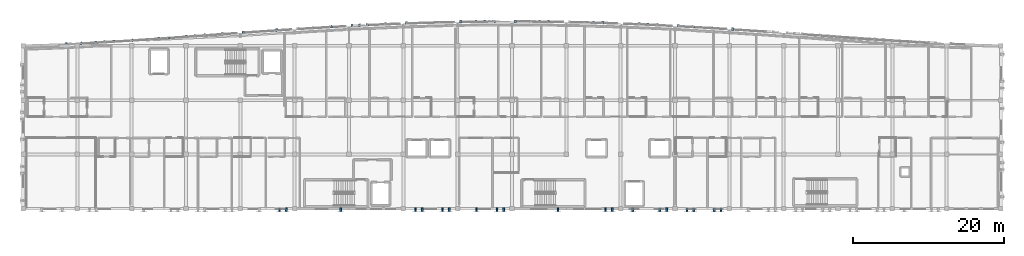
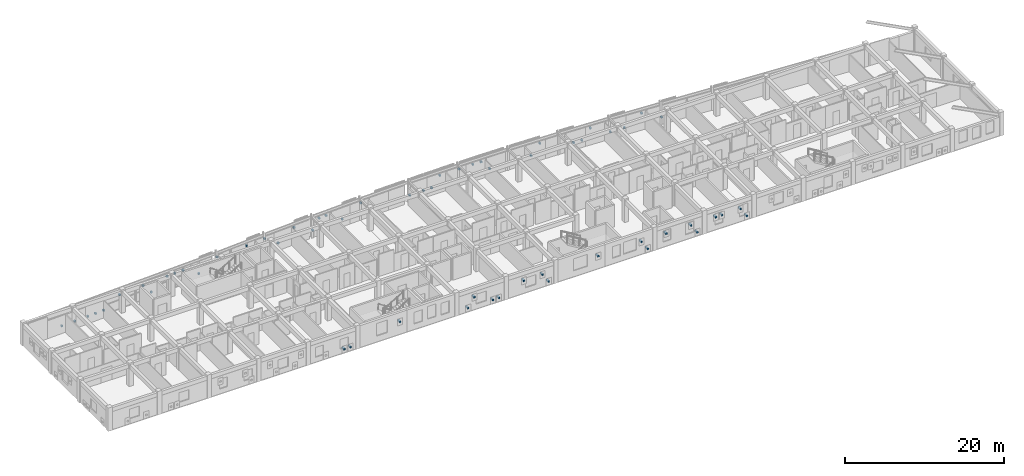
# One storey, part 48 of 51: 59 discrete accessories.
"""IFC4 building model written with IfcOpenShell, lengths in metres."""

from ifc_helpers import new_model, si_unit, direction, frame, origin, origin_2d, place, context, subcontext, project, spatial, rectangle, extrude, material, type_object, element, save


model = new_model("IFC4")

# Units and contexts
model_context = context("Model", 3, precision=1e-05, world=origin(), true_north=direction((0.0, 1.0)))
body_context = subcontext(model_context, "Body", "Model", "MODEL_VIEW")
ifc_project = project(units=[si_unit("LENGTHUNIT", "METRE"), si_unit("AREAUNIT", "SQUARE_METRE"), si_unit("VOLUMEUNIT", "CUBIC_METRE"), si_unit("PLANEANGLEUNIT", "RADIAN"), si_unit("MASSUNIT", "GRAM", prefix="KILO")], contexts=[model_context])

# Site, building, storey
site_placement = place(None, origin())
site = spatial("IfcSite", under=ifc_project, at=site_placement, CompositionType="ELEMENT")
building_placement = place(site_placement, origin())
building = spatial("IfcBuilding", under=site, at=building_placement, Name="Carrowvane Square Congress Hotel", CompositionType="ELEMENT")
storey_placement = place(building_placement, frame((0.0, 0.0, 30.0)))
storey = spatial("IfcBuildingStorey", under=building, at=storey_placement, Name="L07", CompositionType="ELEMENT", Elevation=30.0)

# Discrete accessories
ifc_material = material(Name="Stainless steel 316", Category="steel")
discrete_accessory_type = type_object("IfcDiscreteAccessoryType", Name="ACC-BRK-SS", PredefinedType="BRACKET", material=ifc_material)
for number, where, z_axis, x_axis, name in (
    (1, (38.951904296875, 113.665283203125, 0.56005859375), (0.0, 0.0, 1.0), (0.99891730083, 0.046521243556, 0.0), "Pixel screen mullion bracket 640"),
    (2, (40.888916015625, 113.759033203125, 0.56005859375), (0.0, 0.0, 1.0), (0.998566941363, 0.053516947007, 0.0), "Pixel screen mullion bracket 641"),
    (3, (42.830322265625, 113.86328125, 0.56005859375), (0.0, 0.0, 1.0), (0.998258866948, 0.05898503675, 0.0), "Pixel screen mullion bracket 642"),
    (4, (43.995361328125, 113.93212890625, 0.56005859375), (0.0, 0.0, 1.0), (0.998258866948, 0.05898503675, 0.0), "Pixel screen mullion bracket 643"),
    (5, (45.224853515625, 114.0048828125, 0.56005859375), (0.0, 0.0, 1.0), (0.997996022269, 0.063276690295, 0.0), "Pixel screen mullion bracket 644"),
    (6, (47.629638671875, 114.157470703125, 2.02978515625), (0.0, 0.0, 1.0), (0.997781458784, 0.066574473385, 0.0), "Pixel screen mullion bracket 645"),
    (7, (51.194580078125, 114.398193359375, 2.02978515625), (0.0, 0.0, 1.0), (0.99761759323, 0.068986503591, 0.0), "Pixel screen mullion bracket 646"),
    (8, (52.42919921875, 114.483642578125, 0.56005859375), (0.0, 0.0, 1.0), (0.997505756275, 0.070585169822, 0.0), "Pixel screen mullion bracket 647"),
    (9, (54.82421875, 114.6533203125, 2.02978515625), (0.0, 0.0, 1.0), (0.997446326449, 0.071420066188, 0.0), "Pixel screen mullion bracket 648"),
    (10, (55.994384765625, 114.737060546875, 2.02978515625), (0.0, 0.0, 1.0), (0.997446326449, 0.071420066188, 0.0), "Pixel screen mullion bracket 649"),
    (11, (57.229248046875, 114.825439453125, 2.02978515625), (0.0, 0.0, 1.0), (0.997438267187, 0.071532532122, 0.0), "Pixel screen mullion bracket 650"),
    (12, (59.624267578125, 114.9970703125, 0.56005859375), (0.0, 0.0, 1.0), (0.997479379392, 0.070956942496, 0.0), "Pixel screen mullion bracket 651"),
    (13, (62.386474609375, 115.193115234375, 2.02978515625), (0.0, 0.0, 1.0), (0.997566258056, 0.069724893606, 0.0), "Pixel screen mullion bracket 652"),
    (14, (66.82958984375, 115.4990234375, 2.02978515625), (0.0, 0.0, 1.0), (0.99785825325, 0.065413350476, 0.0), "Pixel screen mullion bracket 653"),
    (15, (69.5849609375, 115.678466796875, 2.02978515625), (0.0, 0.0, 1.0), (0.998051413269, 0.062396926785, 0.0), "Pixel screen mullion bracket 654"),
    (16, (71.630126953125, 115.80615234375, 0.56005859375), (0.0, 0.0, 1.0), (0.998266695506, 0.05885239709, 0.0), "Pixel screen mullion bracket 655"),
    (17, (74.025634765625, 115.947265625, 2.02978515625), (0.0, 0.0, 1.0), (0.998496552462, 0.054814548441, 0.0), "Pixel screen mullion bracket 656"),
    (18, (76.79541015625, 116.09765625, 0.56005859375), (0.0, 0.0, 1.0), (0.998733066647, 0.050321581706, 0.0), "Pixel screen mullion bracket 657"),
    (19, (77.7783203125, 116.147216796875, 2.02978515625), (0.0, 0.0, 1.0), (0.998733066647, 0.050321581706, 0.0), "Pixel screen mullion bracket 658"),
    (20, (78.826416015625, 116.19970703125, 2.02978515625), (0.0, 0.0, 1.0), (0.998968255262, 0.045413929349, 0.0), "Pixel screen mullion bracket 659"),
    (21, (81.231689453125, 116.308837890625, 0.56005859375), (0.0, 0.0, 1.0), (0.999194294234, 0.040134304148, 0.0), "Pixel screen mullion bracket 660"),
    (22, (83.997802734375, 116.417724609375, 2.02978515625), (0.0, 0.0, 1.0), (0.999403768784, 0.034526901703, 0.0), "Pixel screen mullion bracket 661"),
    (23, (91.211181640625, 116.616455078125, 0.56005859375), (0.0, 0.0, 1.0), (0.999868508772, 0.016216200758, 0.0), "Pixel screen mullion bracket 662"),
    (24, (93.229248046875, 116.64892578125, 0.56005859375), (0.0, 0.0, 1.0), (0.999952150705, 0.009782448565, 0.0), "Pixel screen mullion bracket 663"),
    (25, (94.399169921875, 116.660400390625, 0.56005859375), (0.0, 0.0, 1.0), (0.999952150705, 0.009782448565, 0.0), "Pixel screen mullion bracket 664"),
    (26, (95.634765625, 116.67236328125, 2.02978515625), (0.0, 0.0, 1.0), (0.999994654955, 0.003269565853, 0.0), "Pixel screen mullion bracket 665"),
    (27, (98.4150390625, 116.6787109375, 2.02978515625), (0.0, 0.0, 1.0), (0.999994654955, -0.003269565853, 0.0), "Pixel screen mullion bracket 666"),
    (28, (100.435791015625, 116.671875, 2.02978515625), (0.0, 0.0, 1.0), (0.999952150705, -0.009782448565, 0.0), "Pixel screen mullion bracket 667"),
    (29, (101.600830078125, 116.660400390625, 2.02978515625), (0.0, 0.0, 1.0), (0.999952150705, -0.009782448565, 0.0), "Pixel screen mullion bracket 668"),
    (30, (102.831298828125, 116.648193359375, 0.56005859375), (0.0, 0.0, 1.0), (0.999868508772, -0.016216200758, 0.0), "Pixel screen mullion bracket 669"),
    (31, (108.80224609375, 116.521240234375, 0.56005859375), (0.0, 0.0, 1.0), (0.999589805464, -0.028639497417, 0.0), "Pixel screen mullion bracket 670"),
    (32, (110.037841796875, 116.485595703125, 2.02978515625), (0.0, 0.0, 1.0), (0.999403768784, -0.034526901703, 0.0), "Pixel screen mullion bracket 671"),
    (33, (114.838623046875, 116.305908203125, 0.56005859375), (0.0, 0.0, 1.0), (0.998968255262, -0.045413929349, 0.0), "Pixel screen mullion bracket 672"),
    (34, (116.003662109375, 116.2529296875, 0.56005859375), (0.0, 0.0, 1.0), (0.998968255262, -0.045413929349, 0.0), "Pixel screen mullion bracket 673"),
    (35, (117.23388671875, 116.197021484375, 2.02978515625), (0.0, 0.0, 1.0), (0.998733066647, -0.050321581706, 0.0), "Pixel screen mullion bracket 674"),
    (36, (120.043701171875, 116.05322265625, 0.56005859375), (0.0, 0.0, 1.0), (0.998496552462, -0.054814548441, 0.0), "Pixel screen mullion bracket 675"),
    (37, (122.03466796875, 115.94384765625, 0.56005859375), (0.0, 0.0, 1.0), (0.998266695506, -0.05885239709, 0.0), "Pixel screen mullion bracket 676"),
    (38, (124.43994140625, 115.802001953125, 2.02978515625), (0.0, 0.0, 1.0), (0.998051413269, -0.062396926785, 0.0), "Pixel screen mullion bracket 677"),
    (39, (127.24365234375, 115.62548828125, 0.56005859375), (0.0, 0.0, 1.0), (0.99785825325, -0.065413350476, 0.0), "Pixel screen mullion bracket 678"),
):
    element("IfcDiscreteAccessory", number, at=place(storey_placement, frame(where, z_axis=z_axis, x_axis=x_axis)), inside=storey, type_object=discrete_accessory_type, Name=name, PredefinedType="BRACKET", context=body_context, shape_type="SweptSolid", body=[
        extrude(rectangle(XDim=0.239990234375, YDim=0.280029296875, at=origin_2d()), origin(), (0.0, 0.0, 1.0), 0.239990234375),
    ])
for number, where, z_axis, x_axis, name in (
    (40, (125.699951171875, 91.659912109375, 0.56005859375), (0.0, 0.0, 1.0), (-1.0, 0.0, 0.0), "V5 pixel screen bracket 717"),
    (41, (124.800048828125, 91.659912109375, 1.93017578125), (0.0, 0.0, 1.0), (-1.0, 0.0, 0.0), "V5 pixel screen bracket 718"),
    (42, (122.10009765625, 91.659912109375, 1.93017578125), (0.0, 0.0, 1.0), (-1.0, 0.0, 0.0), "V5 pixel screen bracket 719"),
    (43, (121.199951171875, 91.659912109375, 1.93017578125), (0.0, 0.0, 1.0), (-1.0, 0.0, 0.0), "V5 pixel screen bracket 720"),
    (44, (118.5, 91.659912109375, 0.56005859375), (0.0, 0.0, 1.0), (-1.0, 0.0, 0.0), "V5 pixel screen bracket 721"),
    (45, (117.60009765625, 91.659912109375, 1.93017578125), (0.0, 0.0, 1.0), (-1.0, 0.0, 0.0), "V5 pixel screen bracket 722"),
    (46, (114.0, 91.659912109375, 1.93017578125), (0.0, 0.0, 1.0), (-1.0, 0.0, 0.0), "V5 pixel screen bracket 723"),
    (47, (111.300048828125, 91.659912109375, 0.56005859375), (0.0, 0.0, 1.0), (-1.0, 0.0, 0.0), "V5 pixel screen bracket 724"),
    (48, (110.39990234375, 91.659912109375, 1.93017578125), (0.0, 0.0, 1.0), (-1.0, 0.0, 0.0), "V5 pixel screen bracket 725"),
    (49, (104.10009765625, 91.659912109375, 1.93017578125), (0.0, 0.0, 1.0), (-1.0, 0.0, 0.0), "V5 pixel screen bracket 726"),
    (50, (96.89990234375, 91.659912109375, 0.56005859375), (0.0, 0.0, 1.0), (-1.0, 0.0, 0.0), "V5 pixel screen bracket 727"),
    (51, (96.0, 91.659912109375, 1.93017578125), (0.0, 0.0, 1.0), (-1.0, 0.0, 0.0), "V5 pixel screen bracket 728"),
    (52, (93.300048828125, 91.659912109375, 1.93017578125), (0.0, 0.0, 1.0), (-1.0, 0.0, 0.0), "V5 pixel screen bracket 729"),
    (53, (89.699951171875, 91.659912109375, 0.56005859375), (0.0, 0.0, 1.0), (-1.0, 0.0, 0.0), "V5 pixel screen bracket 730"),
    (54, (88.800048828125, 91.659912109375, 0.56005859375), (0.0, 0.0, 1.0), (-1.0, 0.0, 0.0), "V5 pixel screen bracket 731"),
    (55, (86.10009765625, 91.659912109375, 1.93017578125), (0.0, 0.0, 1.0), (-1.0, 0.0, 0.0), "V5 pixel screen bracket 732"),
    (56, (85.199951171875, 91.659912109375, 0.56005859375), (0.0, 0.0, 1.0), (-1.0, 0.0, 0.0), "V5 pixel screen bracket 733"),
    (57, (75.300048828125, 91.659912109375, 1.93017578125), (0.0, 0.0, 1.0), (-1.0, 0.0, 0.0), "V5 pixel screen bracket 734"),
    (58, (68.10009765625, 91.659912109375, 0.56005859375), (0.0, 0.0, 1.0), (-1.0, 0.0, 0.0), "V5 pixel screen bracket 735"),
    (59, (67.199951171875, 91.659912109375, 0.56005859375), (0.0, 0.0, 1.0), (-1.0, 0.0, 0.0), "V5 pixel screen bracket 736"),
):
    element("IfcDiscreteAccessory", number, at=place(storey_placement, frame(where, z_axis=z_axis, x_axis=x_axis)), inside=storey, type_object=discrete_accessory_type, Name=name, PredefinedType="BRACKET", context=body_context, shape_type="SweptSolid", body=[
        extrude(rectangle(XDim=0.239990234375, YDim=0.52001953125, at=origin_2d()), origin(), (0.0, 0.0, 1.0), 0.239990234375),
    ])

save(model, "model.ifc")
